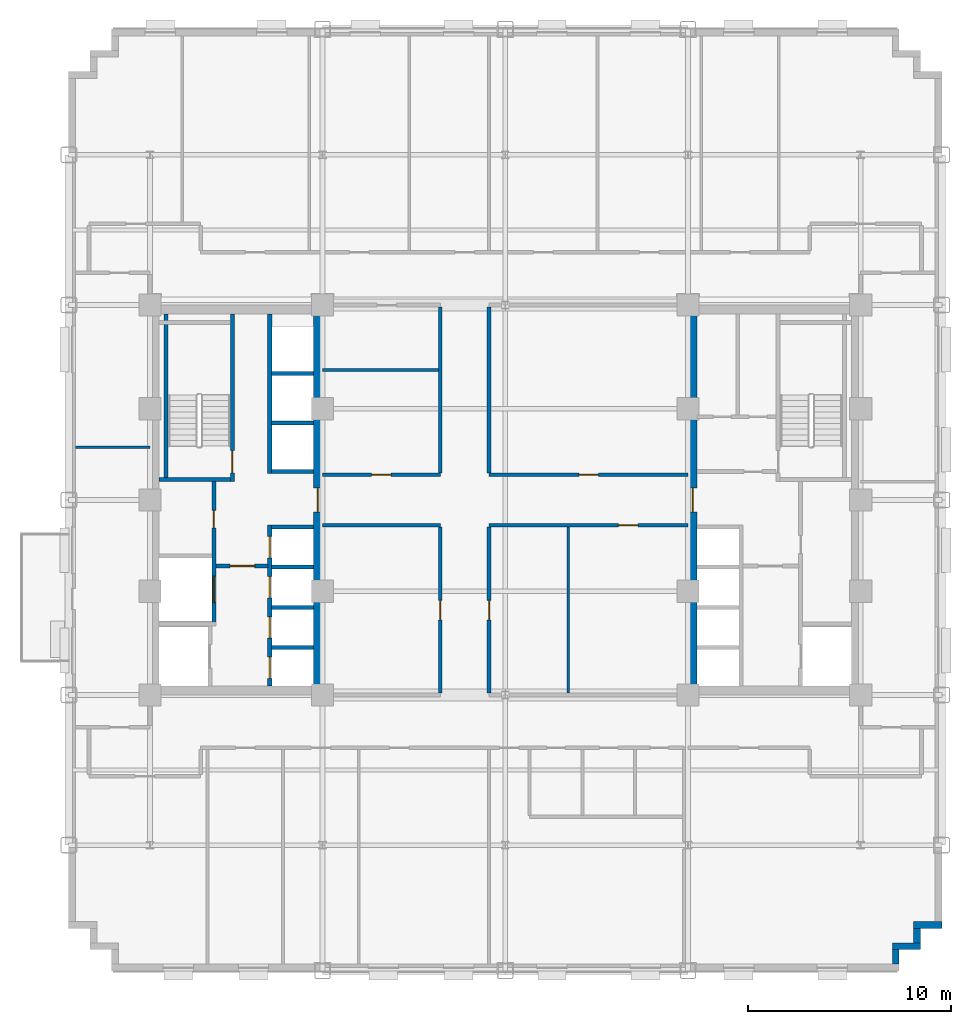
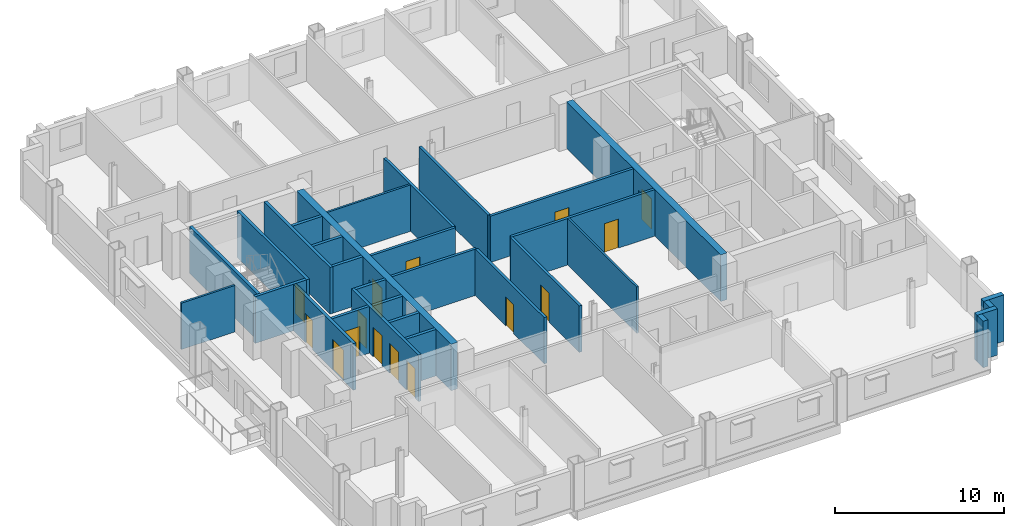
# One storey, part 7 of 14: 31 walls, 15 doors, 15 openings.
"""IFC4 building model written with IfcOpenShell, lengths in metres."""

from ifc_helpers import new_model, si_unit, direction, frame, frame_2d, origin, place, context, subcontext, project, spatial, rectangle, extrude, source, transform, mapped, material, layer, layer_set, type_object, type_shapes, element, fill, save


model = new_model("IFC4")

# Units and contexts
model_context = context("Model", 3, precision=1e-05, world=origin(), true_north=direction((0.0, 1.0)))
body_context = subcontext(model_context, "Body", "Model", "MODEL_VIEW")
ifc_project = project(units=[si_unit("LENGTHUNIT", "METRE"), si_unit("AREAUNIT", "SQUARE_METRE"), si_unit("VOLUMEUNIT", "CUBIC_METRE"), si_unit("PLANEANGLEUNIT", "RADIAN"), si_unit("MASSUNIT", "GRAM", prefix="KILO")], contexts=[model_context])

# Site, building, storey
site_placement = place(None, origin())
site = spatial("IfcSite", under=ifc_project, at=site_placement, CompositionType="ELEMENT")
building_placement = place(site_placement, origin())
building = spatial("IfcBuilding", under=site, at=building_placement, Name="Nuvemarco Arch Tower", CompositionType="ELEMENT")
storey_placement = place(building_placement, frame((0.0, 0.0, 67.75)))
storey = spatial("IfcBuildingStorey", under=building, at=storey_placement, Name="L17", CompositionType="ELEMENT", Elevation=67.75)

# Walls
ifc_material_1 = material(Name="Precast concrete C45/55", Category="concrete")
ifc_layer_1 = layer(ifc_material_1, 0.340087890625, Name="EW-LOW-340")
ifc_layer_set_1 = layer_set([ifc_layer_1], Name="Precast concrete C45/55")
wall_type_1 = type_object("IfcWallType", Name="EW-LOW-340", PredefinedType="STANDARD", material=ifc_layer_set_1)
wall_1_placement = place(storey_placement, frame((19.22998046875, -22.864013671875, 0.0), z_axis=(0.0, 0.0, 1.0), x_axis=(0.0, 1.0, 0.0)))
element("IfcWall", 1, at=wall_1_placement, inside=storey, type_object=wall_type_1, Name="L17 exterior precast facade wall 2", PredefinedType="STANDARD", context=body_context, shape_type="SweptSolid", body=[
    extrude(rectangle(XDim=0.718017578125, YDim=0.340087890625, at=frame_2d((0.35888671875, 0.0))), origin(), (0.0, 0.0, 1.0), 3.360107421875),
])
wall_2_placement = place(storey_placement, frame((19.06005859375, -21.97998046875, 0.0), z_axis=(0.0, 0.0, 1.0), x_axis=(1.0, 0.0, 0.0)))
element("IfcWall", 2, at=wall_2_placement, inside=storey, type_object=wall_type_1, Name="L17 exterior precast facade wall 3", PredefinedType="STANDARD", context=body_context, shape_type="SweptSolid", body=[
    extrude(rectangle(XDim=1.389892578125, YDim=0.340087890625, at=frame_2d((0.69482421875, 0.0))), origin(), (0.0, 0.0, 1.0), 3.360107421875),
])
wall_3_placement = place(storey_placement, frame((20.280029296875, -21.81396484375, 0.0), z_axis=(0.0, 0.0, 1.0), x_axis=(0.0, 1.0, 0.0)))
element("IfcWall", 3, at=wall_3_placement, inside=storey, type_object=wall_type_1, Name="L17 exterior precast facade wall 4", PredefinedType="STANDARD", context=body_context, shape_type="SweptSolid", body=[
    extrude(rectangle(XDim=0.718017578125, YDim=0.340087890625, at=frame_2d((0.35888671875, 0.0))), origin(), (0.0, 0.0, 1.0), 3.360107421875),
])
wall_4_placement = place(storey_placement, frame((20.110107421875, -20.929931640625, 0.0), z_axis=(0.0, 0.0, 1.0), x_axis=(1.0, 0.0, 0.0)))
element("IfcWall", 4, at=wall_4_placement, inside=storey, type_object=wall_type_1, Name="L17 exterior precast facade wall 5", PredefinedType="STANDARD", context=body_context, shape_type="SweptSolid", body=[
    extrude(rectangle(XDim=1.389892578125, YDim=0.340087890625, at=frame_2d((0.69482421875, 0.0))), origin(), (0.0, 0.0, 1.0), 3.360107421875),
])

# Wall, opening, door
ifc_material_2 = material(Name="Concrete C60/75", Category="concrete")
ifc_layer_2 = layer(ifc_material_2, 0.449951171875, Name="WL-CORE-450")
ifc_layer_set_2 = layer_set([ifc_layer_2], Name="Concrete C60/75")
wall_type_2 = type_object("IfcWallType", Name="WL-CORE-450", PredefinedType="SHEAR", material=ifc_layer_set_2)
wall_5_placement = place(storey_placement, frame((-9.22509765625, -9.155029296875, 0.0), z_axis=(0.0, 0.0, 1.0), x_axis=(0.0, 1.0, 0.0)))
wall_5 = element("IfcWall", 5, at=wall_5_placement, inside=storey, type_object=wall_type_2, Name="L17 W-core shear wall E", PredefinedType="SHEAR", context=body_context, shape_type="SweptSolid", body=[
    extrude(rectangle(XDim=18.31005859375, YDim=0.449951171875, at=frame_2d((9.155029296875, 0.0))), origin(), (0.0, 0.0, 1.0), 3.3701171875),
])
opening_1_placement = place(wall_5_placement, frame((8.554931640625, 0.0, 0.0)))
opening_1 = element("IfcOpeningElement", 6, at=opening_1_placement, cuts=wall_5, Name="Opening FD-2", PredefinedType="OPENING", context=body_context, shape_type="SweptSolid", body=[
    extrude(rectangle(XDim=1.199951171875, YDim=2.14990234375, at=frame_2d((0.60009765625, 1.074951171875))), frame((0.0, 0.23486328125, 0.0), z_axis=(0.0, -1.0, 0.0), x_axis=(1.0, 0.0, 0.0)), (0.0, 0.0, 1.0), 0.469970703125),
])
ifc_material_3 = material(Name="Anodised steel fire door", Category="steel")
door_type_1 = type_object("IfcDoorType", Name="DR-FFLOB-FD", OperationType="NOTDEFINED", PredefinedType="DOOR", material=ifc_material_3)
shared_shape_1 = source(origin(), body_context, "Body", "SweptSolid", [
    extrude(rectangle(XDim=1.199951171875, YDim=2.14990234375, at=frame_2d((0.60009765625, 1.074951171875))), frame((0.0, 0.02490234375, 0.0), z_axis=(0.0, -1.0, 0.0), x_axis=(1.0, 0.0, 0.0)), (0.0, 0.0, 1.0), 0.050048828125),
])
type_shapes(door_type_1, [shared_shape_1])
door_1_placement = place(opening_1_placement, origin())
door_1 = element("IfcDoor", 7, at=door_1_placement, inside=storey, type_object=door_type_1, Name="L17 door FD-L17-WCORE-E", OperationType="SINGLE_SWING_LEFT", OverallHeight=2.14990234375, OverallWidth=1.199951171875, PredefinedType="DOOR", context=body_context, shape_type="MappedRepresentation", body=[
    mapped(shared_shape_1, transform((0.0, 0.0, 0.0), scale=1.0)),
])
fill(opening_1, door_1)

wall_6_placement = place(storey_placement, frame((9.22509765625, -9.155029296875, 0.0), z_axis=(0.0, 0.0, 1.0), x_axis=(0.0, 1.0, 0.0)))
wall_6 = element("IfcWall", 8, at=wall_6_placement, inside=storey, type_object=wall_type_2, Name="L17 E-core shear wall W", PredefinedType="SHEAR", context=body_context, shape_type="SweptSolid", body=[
    extrude(rectangle(XDim=18.31005859375, YDim=0.449951171875, at=frame_2d((9.155029296875, 0.0))), origin(), (0.0, 0.0, 1.0), 3.3701171875),
])
opening_2_placement = place(wall_6_placement, frame((8.554931640625, 0.0, 0.0)))
opening_2 = element("IfcOpeningElement", 9, at=opening_2_placement, cuts=wall_6, Name="Opening FD-2", PredefinedType="OPENING", context=body_context, shape_type="SweptSolid", body=[
    extrude(rectangle(XDim=1.199951171875, YDim=2.14990234375, at=frame_2d((0.60009765625, 1.074951171875))), frame((0.0, 0.23486328125, 0.0), z_axis=(0.0, -1.0, 0.0), x_axis=(1.0, 0.0, 0.0)), (0.0, 0.0, 1.0), 0.469970703125),
])
door_2_placement = place(opening_2_placement, origin())
door_2 = element("IfcDoor", 10, at=door_2_placement, inside=storey, type_object=door_type_1, Name="L17 door FD-L17-ECORE-W", OperationType="SINGLE_SWING_RIGHT", OverallHeight=2.14990234375, OverallWidth=1.199951171875, PredefinedType="DOOR", context=body_context, shape_type="MappedRepresentation", body=[
    mapped(shared_shape_1, transform((0.0, 0.0, 0.0), scale=1.0)),
])
fill(opening_2, door_2)

# Wall
ifc_material_4 = material(Name="Fire-rated gypsum drywall partition")
ifc_layer_3 = layer(ifc_material_4, 0.179931640625, Name="WL-CORR-180")
ifc_layer_set_3 = layer_set([ifc_layer_3], Name="Fire-rated gypsum drywall partition")
wall_type_3 = type_object("IfcWallType", Name="WL-CORR-180", PredefinedType="PARTITIONING", material=ifc_layer_set_3)
wall_7_placement = place(storey_placement, frame((-9.0, -1.25, 0.0), z_axis=(0.0, 0.0, 1.0), x_axis=(1.0, 0.0, 0.0)))
element("IfcWall", 11, at=wall_7_placement, inside=storey, type_object=wall_type_3, Name="L17 interior wall IW-L17-011", PredefinedType="PARTITIONING", context=body_context, shape_type="SweptSolid", body=[
    extrude(rectangle(XDim=5.800048828125, YDim=0.179931640625, at=frame_2d((2.89990234375, 0.0))), origin(), (0.0, 0.0, 1.0), 3.360107421875),
])

# Wall, opening, door
wall_8_placement = place(storey_placement, frame((-0.800048828125, -1.25, 0.0), z_axis=(0.0, 0.0, 1.0), x_axis=(1.0, 0.0, 0.0)))
wall_8 = element("IfcWall", 12, at=wall_8_placement, inside=storey, type_object=wall_type_3, Name="L17 interior wall IW-L17-012", PredefinedType="PARTITIONING", context=body_context, shape_type="SweptSolid", body=[
    extrude(rectangle(XDim=9.800048828125, YDim=0.179931640625, at=frame_2d((4.89990234375, 0.0))), origin(), (0.0, 0.0, 1.0), 3.360107421875),
])
opening_3_placement = place(wall_8_placement, frame((6.3701171875, 0.0, 0.0)))
opening_3 = element("IfcOpeningElement", 13, at=opening_3_placement, cuts=wall_8, Name="Opening FD-5", PredefinedType="OPENING", context=body_context, shape_type="SweptSolid", body=[
    extrude(rectangle(XDim=0.9599609375, YDim=2.10009765625, at=frame_2d((0.47998046875, 1.050048828125))), frame((0.0, 0.099853515625, 0.0), z_axis=(0.0, -1.0, 0.0), x_axis=(1.0, 0.0, 0.0)), (0.0, 0.0, 1.0), 0.199951171875),
])
ifc_material_5 = material(Name="Timber fire door", Category="wood")
door_type_2 = type_object("IfcDoorType", Name="DR-CORR-FD", OperationType="NOTDEFINED", PredefinedType="DOOR", material=ifc_material_5)
shared_shape_2 = source(origin(), body_context, "Body", "SweptSolid", [
    extrude(rectangle(XDim=0.9599609375, YDim=2.10009765625, at=frame_2d((0.47998046875, 1.050048828125))), frame((0.0, 0.02490234375, 0.0), z_axis=(0.0, -1.0, 0.0), x_axis=(1.0, 0.0, 0.0)), (0.0, 0.0, 1.0), 0.050048828125),
])
type_shapes(door_type_2, [shared_shape_2])
door_3_placement = place(opening_3_placement, origin())
door_3 = element("IfcDoor", 14, at=door_3_placement, inside=storey, type_object=door_type_2, Name="L17 door DR-L17-C_SE2", OperationType="SINGLE_SWING_RIGHT", OverallHeight=2.10009765625, OverallWidth=0.9599609375, PredefinedType="DOOR", context=body_context, shape_type="MappedRepresentation", body=[
    mapped(shared_shape_2, transform((0.0, 0.0, 0.0), scale=1.0)),
])
fill(opening_3, door_3)

wall_9_placement = place(storey_placement, frame((-9.0, 1.25, 0.0), z_axis=(0.0, 0.0, 1.0), x_axis=(1.0, 0.0, 0.0)))
wall_9 = element("IfcWall", 15, at=wall_9_placement, inside=storey, type_object=wall_type_3, Name="L17 interior wall IW-L17-014", PredefinedType="PARTITIONING", context=body_context, shape_type="SweptSolid", body=[
    extrude(rectangle(XDim=5.800048828125, YDim=0.179931640625, at=frame_2d((2.89990234375, 0.0))), origin(), (0.0, 0.0, 1.0), 3.360107421875),
])
opening_4_placement = place(wall_9_placement, frame((2.419921875, 0.0, 0.0)))
opening_4 = element("IfcOpeningElement", 16, at=opening_4_placement, cuts=wall_9, Name="Opening FD-5", PredefinedType="OPENING", context=body_context, shape_type="SweptSolid", body=[
    extrude(rectangle(XDim=0.9599609375, YDim=2.10009765625, at=frame_2d((0.47998046875, 1.050048828125))), frame((0.0, 0.099853515625, 0.0), z_axis=(0.0, -1.0, 0.0), x_axis=(1.0, 0.0, 0.0)), (0.0, 0.0, 1.0), 0.199951171875),
])
door_4_placement = place(opening_4_placement, origin())
door_4 = element("IfcDoor", 17, at=door_4_placement, inside=storey, type_object=door_type_2, Name="L17 door DR-L17-C_NW1", OperationType="SINGLE_SWING_LEFT", OverallHeight=2.10009765625, OverallWidth=0.9599609375, PredefinedType="DOOR", context=body_context, shape_type="MappedRepresentation", body=[
    mapped(shared_shape_2, transform((0.0, 0.0, 0.0), scale=1.0)),
])
fill(opening_4, door_4)

wall_10_placement = place(storey_placement, frame((-0.800048828125, 1.25, 0.0), z_axis=(0.0, 0.0, 1.0), x_axis=(1.0, 0.0, 0.0)))
wall_10 = element("IfcWall", 18, at=wall_10_placement, inside=storey, type_object=wall_type_3, Name="L17 interior wall IW-L17-015", PredefinedType="PARTITIONING", context=body_context, shape_type="SweptSolid", body=[
    extrude(rectangle(XDim=9.800048828125, YDim=0.179931640625, at=frame_2d((4.89990234375, 0.0))), origin(), (0.0, 0.0, 1.0), 3.360107421875),
])
opening_5_placement = place(wall_10_placement, frame((4.419921875, 0.0, 0.0)))
opening_5 = element("IfcOpeningElement", 19, at=opening_5_placement, cuts=wall_10, Name="Opening FD-5", PredefinedType="OPENING", context=body_context, shape_type="SweptSolid", body=[
    extrude(rectangle(XDim=0.9599609375, YDim=2.10009765625, at=frame_2d((0.47998046875, 1.050048828125))), frame((0.0, 0.099853515625, 0.0), z_axis=(0.0, -1.0, 0.0), x_axis=(1.0, 0.0, 0.0)), (0.0, 0.0, 1.0), 0.199951171875),
])
door_5_placement = place(opening_5_placement, origin())
door_5 = element("IfcDoor", 20, at=door_5_placement, inside=storey, type_object=door_type_2, Name="L17 door DR-L17-C_NE", OperationType="SINGLE_SWING_RIGHT", OverallHeight=2.10009765625, OverallWidth=0.9599609375, PredefinedType="DOOR", context=body_context, shape_type="MappedRepresentation", body=[
    mapped(shared_shape_2, transform((0.0, 0.0, 0.0), scale=1.0)),
])
fill(opening_5, door_5)

wall_11_placement = place(storey_placement, frame((-3.199951171875, -9.513916015625, 0.0), z_axis=(0.0, 0.0, 1.0), x_axis=(0.0, 1.0, 0.0)))
wall_11 = element("IfcWall", 21, at=wall_11_placement, inside=storey, type_object=wall_type_3, Name="L17 interior wall IW-L17-038", PredefinedType="PARTITIONING", context=body_context, shape_type="SweptSolid", body=[
    extrude(rectangle(XDim=8.177978515625, YDim=0.179931640625, at=frame_2d((4.0888671875, 0.0))), origin(), (0.0, 0.0, 1.0), 3.360107421875),
])
opening_6_placement = place(wall_11_placement, frame((3.60888671875, 0.0, 0.0)))
opening_6 = element("IfcOpeningElement", 22, at=opening_6_placement, cuts=wall_11, Name="Opening FD-5", PredefinedType="OPENING", context=body_context, shape_type="SweptSolid", body=[
    extrude(rectangle(XDim=0.9599609375, YDim=2.10009765625, at=frame_2d((0.47998046875, 1.050048828125))), frame((0.0, 0.099853515625, 0.0), z_axis=(0.0, -1.0, 0.0), x_axis=(1.0, 0.0, 0.0)), (0.0, 0.0, 1.0), 0.199951171875),
])
door_6_placement = place(opening_6_placement, origin())
door_6 = element("IfcDoor", 23, at=door_6_placement, inside=storey, type_object=door_type_2, Name="L17 door DR-L17-C_SW", OperationType="SINGLE_SWING_LEFT", OverallHeight=2.10009765625, OverallWidth=0.9599609375, PredefinedType="DOOR", context=body_context, shape_type="MappedRepresentation", body=[
    mapped(shared_shape_2, transform((0.0, 0.0, 0.0), scale=1.0)),
])
fill(opening_6, door_6)

# Wall
wall_12_placement = place(storey_placement, frame((-3.199951171875, 1.3359375, 0.0), z_axis=(0.0, 0.0, 1.0), x_axis=(0.0, 1.0, 0.0)))
element("IfcWall", 24, at=wall_12_placement, inside=storey, type_object=wall_type_3, Name="L17 interior wall IW-L17-039", PredefinedType="PARTITIONING", context=body_context, shape_type="SweptSolid", body=[
    extrude(rectangle(XDim=8.177978515625, YDim=0.179931640625, at=frame_2d((4.0888671875, 0.0))), origin(), (0.0, 0.0, 1.0), 3.360107421875),
])

# Wall, opening, door
wall_13_placement = place(storey_placement, frame((-0.800048828125, -9.513916015625, 0.0), z_axis=(0.0, 0.0, 1.0), x_axis=(0.0, 1.0, 0.0)))
wall_13 = element("IfcWall", 25, at=wall_13_placement, inside=storey, type_object=wall_type_3, Name="L17 interior wall IW-L17-041", PredefinedType="PARTITIONING", context=body_context, shape_type="SweptSolid", body=[
    extrude(rectangle(XDim=8.177978515625, YDim=0.179931640625, at=frame_2d((4.0888671875, 0.0))), origin(), (0.0, 0.0, 1.0), 3.360107421875),
])
opening_7_placement = place(wall_13_placement, frame((3.60888671875, 0.0, 0.0)))
opening_7 = element("IfcOpeningElement", 26, at=opening_7_placement, cuts=wall_13, Name="Opening FD-5", PredefinedType="OPENING", context=body_context, shape_type="SweptSolid", body=[
    extrude(rectangle(XDim=0.9599609375, YDim=2.10009765625, at=frame_2d((0.47998046875, 1.050048828125))), frame((0.0, 0.099853515625, 0.0), z_axis=(0.0, -1.0, 0.0), x_axis=(1.0, 0.0, 0.0)), (0.0, 0.0, 1.0), 0.199951171875),
])
door_7_placement = place(opening_7_placement, origin())
door_7 = element("IfcDoor", 27, at=door_7_placement, inside=storey, type_object=door_type_2, Name="L17 door DR-L17-C_SE1", OperationType="SINGLE_SWING_RIGHT", OverallHeight=2.10009765625, OverallWidth=0.9599609375, PredefinedType="DOOR", context=body_context, shape_type="MappedRepresentation", body=[
    mapped(shared_shape_2, transform((0.0, 0.0, 0.0), scale=1.0)),
])
fill(opening_7, door_7)

# Walls
wall_14_placement = place(storey_placement, frame((-0.800048828125, 1.3359375, 0.0), z_axis=(0.0, 0.0, 1.0), x_axis=(0.0, 1.0, 0.0)))
element("IfcWall", 28, at=wall_14_placement, inside=storey, type_object=wall_type_3, Name="L17 interior wall IW-L17-042", PredefinedType="PARTITIONING", context=body_context, shape_type="SweptSolid", body=[
    extrude(rectangle(XDim=8.177978515625, YDim=0.179931640625, at=frame_2d((4.0888671875, 0.0))), origin(), (0.0, 0.0, 1.0), 3.360107421875),
])
ifc_material_6 = material(Name="Glazed acoustic office partition")
ifc_layer_4 = layer(ifc_material_6, 0.1298828125, Name="WL-EXEC-130")
ifc_layer_set_4 = layer_set([ifc_layer_4], Name="Glazed acoustic office partition")
wall_type_4 = type_object("IfcWallType", Name="WL-EXEC-130", PredefinedType="PARTITIONING", material=ifc_layer_set_4)
wall_15_placement = place(storey_placement, frame((3.10009765625, -9.513916015625, 0.0), z_axis=(0.0, 0.0, 1.0), x_axis=(0.0, 1.0, 0.0)))
element("IfcWall", 29, at=wall_15_placement, inside=storey, type_object=wall_type_4, Name="L17 interior wall IW-L17-045", PredefinedType="PARTITIONING", context=body_context, shape_type="SweptSolid", body=[
    extrude(rectangle(XDim=8.177978515625, YDim=0.1298828125, at=frame_2d((4.0888671875, 0.0))), origin(), (0.0, 0.0, 1.0), 3.360107421875),
])
ifc_material_7 = material(Name="Gypsum plasterboard partition")
ifc_layer_5 = layer(ifc_material_7, 0.139892578125, Name="WL-ROOM-140")
ifc_layer_set_5 = layer_set([ifc_layer_5], Name="Gypsum plasterboard partition")
wall_type_5 = type_object("IfcWallType", Name="WL-ROOM-140", PredefinedType="PARTITIONING", material=ifc_layer_set_5)
wall_16_placement = place(storey_placement, frame((-21.159912109375, 2.60009765625, 0.0), z_axis=(0.0, 0.0, 1.0), x_axis=(1.0, 0.0, 0.0)))
element("IfcWall", 30, at=wall_16_placement, inside=storey, type_object=wall_type_5, Name="L17 interior wall IW-L17-016", PredefinedType="PARTITIONING", context=body_context, shape_type="SweptSolid", body=[
    extrude(rectangle(XDim=3.659912109375, YDim=0.139892578125, at=frame_2d((1.830078125, 0.0))), origin(), (0.0, 0.0, 1.0), 3.360107421875),
])
wall_17_placement = place(storey_placement, frame((-9.0, 6.39990234375, 0.0), z_axis=(0.0, 0.0, 1.0), x_axis=(1.0, 0.0, 0.0)))
element("IfcWall", 31, at=wall_17_placement, inside=storey, type_object=wall_type_5, Name="L17 interior wall IW-L17-017", PredefinedType="PARTITIONING", context=body_context, shape_type="SweptSolid", body=[
    extrude(rectangle(XDim=5.714111328125, YDim=0.139892578125, at=frame_2d((2.85693359375, 0.0))), origin(), (0.0, 0.0, 1.0), 3.360107421875),
])

# Wall, opening, door
ifc_material_8 = material(Name="Concrete C50/60", Category="concrete")
ifc_layer_6 = layer(ifc_material_8, 0.199951171875, Name="WL-SHAFT-220")
ifc_layer_set_6 = layer_set([ifc_layer_6], Name="Concrete C50/60")
wall_type_6 = type_object("IfcWallType", Name="WL-SHAFT-220", PredefinedType="SHEAR", material=ifc_layer_set_6)
wall_18_placement = place(storey_placement, frame((-13.43994140625, 0.89990234375, 0.0), z_axis=(0.0, 0.0, 1.0), x_axis=(0.0, 1.0, 0.0)))
wall_18 = element("IfcWall", 32, at=wall_18_placement, inside=storey, type_object=wall_type_6, Name="L17 structural shaft wall SW-L17-W-ST1E", PredefinedType="SHEAR", context=body_context, shape_type="SweptSolid", body=[
    extrude(rectangle(XDim=8.255126953125, YDim=0.199951171875, at=frame_2d((4.12744140625, 0.0))), origin(), (0.0, 0.0, 1.0), 3.3701171875),
])
opening_8_placement = place(wall_18_placement, frame((1.530029296875, 0.0, 0.0), z_axis=(0.0, 0.0, 1.0), x_axis=(-1.0, 0.0, 0.0)))
opening_8 = element("IfcOpeningElement", 33, at=opening_8_placement, cuts=wall_18, Name="Opening FD-1", PredefinedType="OPENING", context=body_context, shape_type="SweptSolid", body=[
    extrude(rectangle(XDim=1.10009765625, YDim=2.14990234375, at=frame_2d((0.550048828125, 1.074951171875))), frame((0.0, 0.10986328125, 0.0), z_axis=(0.0, -1.0, 0.0), x_axis=(1.0, 0.0, 0.0)), (0.0, 0.0, 1.0), 0.219970703125),
])
door_type_3 = type_object("IfcDoorType", Name="DR-STAIR-FD", OperationType="NOTDEFINED", PredefinedType="DOOR", material=ifc_material_3)
shared_shape_3 = source(origin(), body_context, "Body", "SweptSolid", [
    extrude(rectangle(XDim=1.10009765625, YDim=2.14990234375, at=frame_2d((0.550048828125, 1.074951171875))), frame((0.0, 0.02490234375, 0.0), z_axis=(0.0, -1.0, 0.0), x_axis=(1.0, 0.0, 0.0)), (0.0, 0.0, 1.0), 0.050048828125),
])
type_shapes(door_type_3, [shared_shape_3])
door_8_placement = place(opening_8_placement, origin())
door_8 = element("IfcDoor", 34, at=door_8_placement, inside=storey, type_object=door_type_3, Name="L17 door FD-L17-ST1", OperationType="SINGLE_SWING_LEFT", OverallHeight=2.14990234375, OverallWidth=1.10009765625, PredefinedType="DOOR", context=body_context, shape_type="MappedRepresentation", body=[
    mapped(shared_shape_3, transform((0.0, 0.0, 0.0), scale=1.0)),
])
fill(opening_8, door_8)

# Walls
wall_19_placement = place(storey_placement, frame((-17.054931640625, 1.0, 0.0), z_axis=(0.0, 0.0, 1.0), x_axis=(1.0, 0.0, 0.0)))
element("IfcWall", 35, at=wall_19_placement, inside=storey, type_object=wall_type_6, Name="L17 structural shaft wall SW-L17-W-ST1S", PredefinedType="SHEAR", context=body_context, shape_type="SweptSolid", body=[
    extrude(rectangle(XDim=3.52001953125, YDim=0.199951171875, at=frame_2d((1.760009765625, 0.0))), origin(), (0.0, 0.0, 1.0), 3.3701171875),
])
wall_20_placement = place(storey_placement, frame((-16.699951171875, 1.094970703125, 0.0), z_axis=(0.0, 0.0, 1.0), x_axis=(0.0, 1.0, 0.0)))
element("IfcWall", 36, at=wall_20_placement, inside=storey, type_object=wall_type_6, Name="L17 structural shaft wall SW-L17-W-ST1W", PredefinedType="SHEAR", context=body_context, shape_type="SweptSolid", body=[
    extrude(rectangle(XDim=8.06005859375, YDim=0.199951171875, at=frame_2d((4.030029296875, 0.0))), origin(), (0.0, 0.0, 1.0), 3.3701171875),
])

# Wall, openings, doors
wall_21_placement = place(storey_placement, frame((-14.35009765625, -6.199951171875, 0.0), z_axis=(0.0, 0.0, 1.0), x_axis=(0.0, 1.0, 0.0)))
wall_21 = element("IfcWall", 37, at=wall_21_placement, inside=storey, type_object=wall_type_6, Name="L17 structural shaft wall SW-L17-W-SVE", PredefinedType="SHEAR", context=body_context, shape_type="SweptSolid", body=[
    extrude(rectangle(XDim=7.10498046875, YDim=0.199951171875, at=frame_2d((3.552490234375, 0.0))), origin(), (0.0, 0.0, 1.0), 3.3701171875),
])
opening_9_placement = place(wall_21_placement, frame((5.68994140625, 0.0, 0.0), z_axis=(0.0, 0.0, 1.0), x_axis=(-1.0, 0.0, 0.0)))
opening_9 = element("IfcOpeningElement", 38, at=opening_9_placement, cuts=wall_21, Name="Opening FD-4", PredefinedType="OPENING", context=body_context, shape_type="SweptSolid", body=[
    extrude(rectangle(XDim=0.8798828125, YDim=2.10009765625, at=frame_2d((0.43994140625, 1.050048828125))), frame((0.0, 0.10986328125, 0.0), z_axis=(0.0, -1.0, 0.0), x_axis=(1.0, 0.0, 0.0)), (0.0, 0.0, 1.0), 0.219970703125),
])
opening_10_placement = place(wall_21_placement, frame((1.14990234375, 0.0, 0.0)))
opening_10 = element("IfcOpeningElement", 39, at=opening_10_placement, cuts=wall_21, Name="Opening LD-3", PredefinedType="OPENING", context=body_context, shape_type="SweptSolid", body=[
    extrude(rectangle(XDim=1.300048828125, YDim=2.199951171875, at=frame_2d((0.64990234375, 1.10009765625))), frame((0.0, 0.10986328125, 0.0), z_axis=(0.0, -1.0, 0.0), x_axis=(1.0, 0.0, 0.0)), (0.0, 0.0, 1.0), 0.219970703125),
])
door_type_4 = type_object("IfcDoorType", Name="DR-RISER-FD", OperationType="NOTDEFINED", PredefinedType="DOOR", material=ifc_material_3)
shared_shape_4 = source(origin(), body_context, "Body", "SweptSolid", [
    extrude(rectangle(XDim=0.8798828125, YDim=2.10009765625, at=frame_2d((0.43994140625, 1.050048828125))), frame((0.0, 0.02490234375, 0.0), z_axis=(0.0, -1.0, 0.0), x_axis=(1.0, 0.0, 0.0)), (0.0, 0.0, 1.0), 0.050048828125),
])
type_shapes(door_type_4, [shared_shape_4])
door_9_placement = place(opening_9_placement, origin())
door_9 = element("IfcDoor", 40, at=door_9_placement, inside=storey, type_object=door_type_4, Name="L17 door FD-L17-WRIS", OperationType="SINGLE_SWING_LEFT", OverallHeight=2.10009765625, OverallWidth=0.8798828125, PredefinedType="DOOR", context=body_context, shape_type="MappedRepresentation", body=[
    mapped(shared_shape_4, transform((0.0, 0.0, 0.0), scale=1.0)),
])
fill(opening_9, door_9)
ifc_material_9 = material(Name="Stainless steel lift door", Category="steel")
door_type_5 = type_object("IfcDoorType", Name="DR-LIFT-SERV", OperationType="DOUBLE_DOOR_SLIDING", PredefinedType="DOOR", material=ifc_material_9)
shared_shape_5 = source(origin(), body_context, "Body", "SweptSolid", [
    extrude(rectangle(XDim=1.300048828125, YDim=2.199951171875, at=frame_2d((0.64990234375, 1.10009765625))), frame((0.0, 0.02490234375, 0.0), z_axis=(0.0, -1.0, 0.0), x_axis=(1.0, 0.0, 0.0)), (0.0, 0.0, 1.0), 0.050048828125),
])
type_shapes(door_type_5, [shared_shape_5])
door_10_placement = place(opening_10_placement, origin())
door_10 = element("IfcDoor", 41, at=door_10_placement, inside=storey, type_object=door_type_5, Name="L17 Lift landing sliding door SVL-1", OperationType="DOUBLE_DOOR_SLIDING", OverallHeight=2.199951171875, OverallWidth=1.300048828125, PredefinedType="DOOR", context=body_context, shape_type="MappedRepresentation", body=[
    mapped(shared_shape_5, transform((0.0, 0.0, 0.0), scale=1.0)),
])
fill(opening_10, door_10)

wall_22_placement = place(storey_placement, frame((-11.60009765625, -9.155029296875, 0.0), z_axis=(0.0, 0.0, 1.0), x_axis=(0.0, 1.0, 0.0)))
wall_22 = element("IfcWall", 42, at=wall_22_placement, inside=storey, type_object=wall_type_6, Name="L17 structural shaft wall SW-L17-W-PLW", PredefinedType="SHEAR", context=body_context, shape_type="SweptSolid", body=[
    extrude(rectangle(XDim=7.925048828125, YDim=0.199951171875, at=frame_2d((3.96240234375, 0.0))), origin(), (0.0, 0.0, 1.0), 3.3701171875),
])
opening_11_placement = place(wall_22_placement, frame((0.3701171875, 0.0, 0.0)))
opening_11 = element("IfcOpeningElement", 43, at=opening_11_placement, cuts=wall_22, Name="Opening LD-1", PredefinedType="OPENING", context=body_context, shape_type="SweptSolid", body=[
    extrude(rectangle(XDim=1.050048828125, YDim=2.14990234375, at=frame_2d((0.52490234375, 1.074951171875))), frame((0.0, 0.10986328125, 0.0), z_axis=(0.0, -1.0, 0.0), x_axis=(1.0, 0.0, 0.0)), (0.0, 0.0, 1.0), 0.219970703125),
])
opening_12_placement = place(wall_22_placement, frame((2.35009765625, 0.0, 0.0)))
opening_12 = element("IfcOpeningElement", 44, at=opening_12_placement, cuts=wall_22, Name="Opening LD-1", PredefinedType="OPENING", context=body_context, shape_type="SweptSolid", body=[
    extrude(rectangle(XDim=1.050048828125, YDim=2.14990234375, at=frame_2d((0.52490234375, 1.074951171875))), frame((0.0, 0.10986328125, 0.0), z_axis=(0.0, -1.0, 0.0), x_axis=(1.0, 0.0, 0.0)), (0.0, 0.0, 1.0), 0.219970703125),
])
opening_13_placement = place(wall_22_placement, frame((4.330078125, 0.0, 0.0)))
opening_13 = element("IfcOpeningElement", 45, at=opening_13_placement, cuts=wall_22, Name="Opening LD-1", PredefinedType="OPENING", context=body_context, shape_type="SweptSolid", body=[
    extrude(rectangle(XDim=1.050048828125, YDim=2.14990234375, at=frame_2d((0.52490234375, 1.074951171875))), frame((0.0, 0.10986328125, 0.0), z_axis=(0.0, -1.0, 0.0), x_axis=(1.0, 0.0, 0.0)), (0.0, 0.0, 1.0), 0.219970703125),
])
opening_14_placement = place(wall_22_placement, frame((6.31005859375, 0.0, 0.0)))
opening_14 = element("IfcOpeningElement", 46, at=opening_14_placement, cuts=wall_22, Name="Opening LD-1", PredefinedType="OPENING", context=body_context, shape_type="SweptSolid", body=[
    extrude(rectangle(XDim=1.050048828125, YDim=2.14990234375, at=frame_2d((0.52490234375, 1.074951171875))), frame((0.0, 0.10986328125, 0.0), z_axis=(0.0, -1.0, 0.0), x_axis=(1.0, 0.0, 0.0)), (0.0, 0.0, 1.0), 0.219970703125),
])
door_type_6 = type_object("IfcDoorType", Name="DR-LIFT-PASS", OperationType="DOUBLE_DOOR_SLIDING", PredefinedType="DOOR", material=ifc_material_9)
shared_shape_6 = source(origin(), body_context, "Body", "SweptSolid", [
    extrude(rectangle(XDim=1.050048828125, YDim=2.14990234375, at=frame_2d((0.52490234375, 1.074951171875))), frame((0.0, 0.02490234375, 0.0), z_axis=(0.0, -1.0, 0.0), x_axis=(1.0, 0.0, 0.0)), (0.0, 0.0, 1.0), 0.050048828125),
])
type_shapes(door_type_6, [shared_shape_6])
door_11_placement = place(opening_11_placement, origin())
door_11 = element("IfcDoor", 47, at=door_11_placement, inside=storey, type_object=door_type_6, Name="L17 Lift landing sliding door PL-1", OperationType="DOUBLE_DOOR_SLIDING", OverallHeight=2.14990234375, OverallWidth=1.050048828125, PredefinedType="DOOR", context=body_context, shape_type="MappedRepresentation", body=[
    mapped(shared_shape_6, transform((0.0, 0.0, 0.0), scale=1.0)),
])
fill(opening_11, door_11)
door_12_placement = place(opening_12_placement, origin())
door_12 = element("IfcDoor", 48, at=door_12_placement, inside=storey, type_object=door_type_6, Name="L17 Lift landing sliding door PL-2", OperationType="DOUBLE_DOOR_SLIDING", OverallHeight=2.14990234375, OverallWidth=1.050048828125, PredefinedType="DOOR", context=body_context, shape_type="MappedRepresentation", body=[
    mapped(shared_shape_6, transform((0.0, 0.0, 0.0), scale=1.0)),
])
fill(opening_12, door_12)
door_13_placement = place(opening_13_placement, origin())
door_13 = element("IfcDoor", 49, at=door_13_placement, inside=storey, type_object=door_type_6, Name="L17 Lift landing sliding door PL-3", OperationType="DOUBLE_DOOR_SLIDING", OverallHeight=2.14990234375, OverallWidth=1.050048828125, PredefinedType="DOOR", context=body_context, shape_type="MappedRepresentation", body=[
    mapped(shared_shape_6, transform((0.0, 0.0, 0.0), scale=1.0)),
])
fill(opening_13, door_13)
door_14_placement = place(opening_14_placement, origin())
door_14 = element("IfcDoor", 50, at=door_14_placement, inside=storey, type_object=door_type_6, Name="L17 Lift landing sliding door PL-4", OperationType="DOUBLE_DOOR_SLIDING", OverallHeight=2.14990234375, OverallWidth=1.050048828125, PredefinedType="DOOR", context=body_context, shape_type="MappedRepresentation", body=[
    mapped(shared_shape_6, transform((0.0, 0.0, 0.0), scale=1.0)),
])
fill(opening_14, door_14)

# Wall, opening, door
wall_23_placement = place(storey_placement, frame((-14.2548828125, -3.25, 0.0), z_axis=(0.0, 0.0, 1.0), x_axis=(1.0, 0.0, 0.0)))
wall_23 = element("IfcWall", 51, at=wall_23_placement, inside=storey, type_object=wall_type_6, Name="L17 structural shaft wall SW-L17-W-FFN", PredefinedType="SHEAR", context=body_context, shape_type="SweptSolid", body=[
    extrude(rectangle(XDim=2.559814453125, YDim=0.199951171875, at=frame_2d((1.27978515625, 0.0))), origin(), (0.0, 0.0, 1.0), 3.3701171875),
])
opening_15_placement = place(wall_23_placement, frame((0.705078125, 0.0, 0.0)))
opening_15 = element("IfcOpeningElement", 52, at=opening_15_placement, cuts=wall_23, Name="Opening FD-2", PredefinedType="OPENING", context=body_context, shape_type="SweptSolid", body=[
    extrude(rectangle(XDim=1.199951171875, YDim=2.14990234375, at=frame_2d((0.60009765625, 1.074951171875))), frame((0.0, 0.10986328125, 0.0), z_axis=(0.0, -1.0, 0.0), x_axis=(1.0, 0.0, 0.0)), (0.0, 0.0, 1.0), 0.219970703125),
])
door_15_placement = place(opening_15_placement, origin())
door_15 = element("IfcDoor", 53, at=door_15_placement, inside=storey, type_object=door_type_1, Name="L17 door FD-L17-WFF1", OperationType="SINGLE_SWING_LEFT", OverallHeight=2.14990234375, OverallWidth=1.199951171875, PredefinedType="DOOR", context=body_context, shape_type="MappedRepresentation", body=[
    mapped(shared_shape_1, transform((0.0, 0.0, 0.0), scale=1.0)),
])
fill(opening_15, door_15)

# Walls
for number, where, z_axis, x_axis, name in (
    (54, (-11.5048828125, -7.27001953125, 0.0), (0.0, 0.0, 1.0), (1.0, 0.0, 0.0), "L17 structural shaft wall SW-L17-W-PLD1"),
    (55, (-11.5048828125, -5.2900390625, 0.0), (0.0, 0.0, 1.0), (1.0, 0.0, 0.0), "L17 structural shaft wall SW-L17-W-PLD2"),
    (56, (-11.5048828125, -3.31005859375, 0.0), (0.0, 0.0, 1.0), (1.0, 0.0, 0.0), "L17 structural shaft wall SW-L17-W-PLD3"),
    (57, (-11.5048828125, -1.330078125, 0.0), (0.0, 0.0, 1.0), (1.0, 0.0, 0.0), "L17 structural shaft wall SW-L17-W-PLD4"),
):
    element("IfcWall", number, at=place(storey_placement, frame(where, z_axis=z_axis, x_axis=x_axis)), inside=storey, type_object=wall_type_6, Name=name, PredefinedType="SHEAR", context=body_context, shape_type="SweptSolid", body=[
        extrude(rectangle(XDim=2.059814453125, YDim=0.199951171875, at=frame_2d((1.02978515625, 0.0))), origin(), (0.0, 0.0, 1.0), 3.3701171875),
    ])
wall_24_placement = place(storey_placement, frame((-11.60009765625, 1.300048828125, 0.0), z_axis=(0.0, 0.0, 1.0), x_axis=(0.0, 1.0, 0.0)))
element("IfcWall", 58, at=wall_24_placement, inside=storey, type_object=wall_type_6, Name="L17 structural shaft wall SW-L17-W-PHW", PredefinedType="SHEAR", context=body_context, shape_type="SweptSolid", body=[
    extrude(rectangle(XDim=7.85498046875, YDim=0.199951171875, at=frame_2d((3.927490234375, 0.0))), origin(), (0.0, 0.0, 1.0), 3.3701171875),
])
for number, where, z_axis, x_axis, name in (
    (59, (-11.5048828125, 1.39990234375, 0.0), (0.0, 0.0, 1.0), (1.0, 0.0, 0.0), "L17 structural shaft wall SW-L17-W-PHD1"),
    (60, (-11.5048828125, 3.800048828125, 0.0), (0.0, 0.0, 1.0), (1.0, 0.0, 0.0), "L17 structural shaft wall SW-L17-W-PHD2"),
    (61, (-11.5048828125, 6.219970703125, 0.0), (0.0, 0.0, 1.0), (1.0, 0.0, 0.0), "L17 structural shaft wall SW-L17-W-PHD3"),
):
    element("IfcWall", number, at=place(storey_placement, frame(where, z_axis=z_axis, x_axis=x_axis)), inside=storey, type_object=wall_type_6, Name=name, PredefinedType="SHEAR", context=body_context, shape_type="SweptSolid", body=[
        extrude(rectangle(XDim=2.059814453125, YDim=0.199951171875, at=frame_2d((1.02978515625, 0.0))), origin(), (0.0, 0.0, 1.0), 3.3701171875),
    ])

save(model, "model.ifc")
